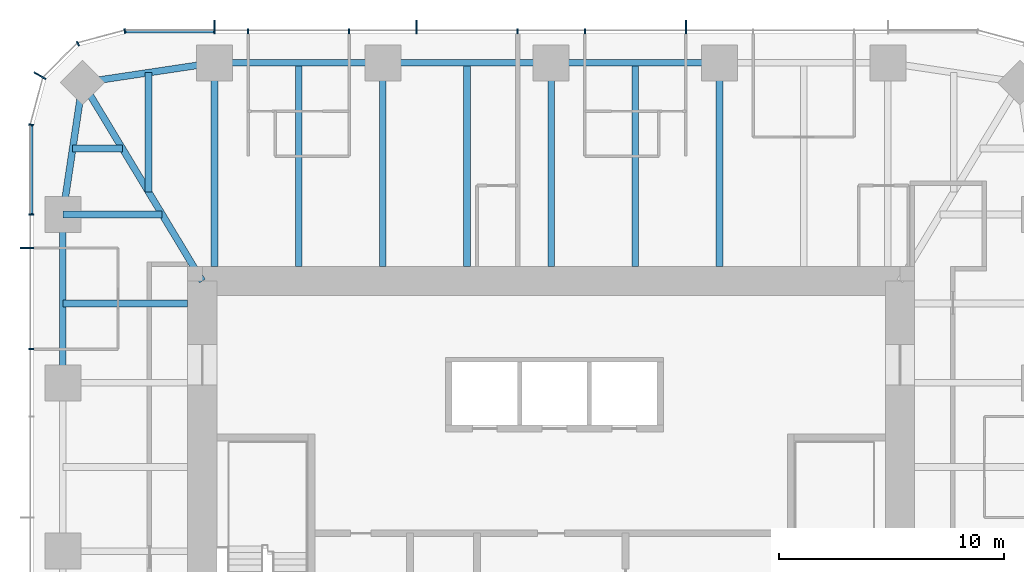
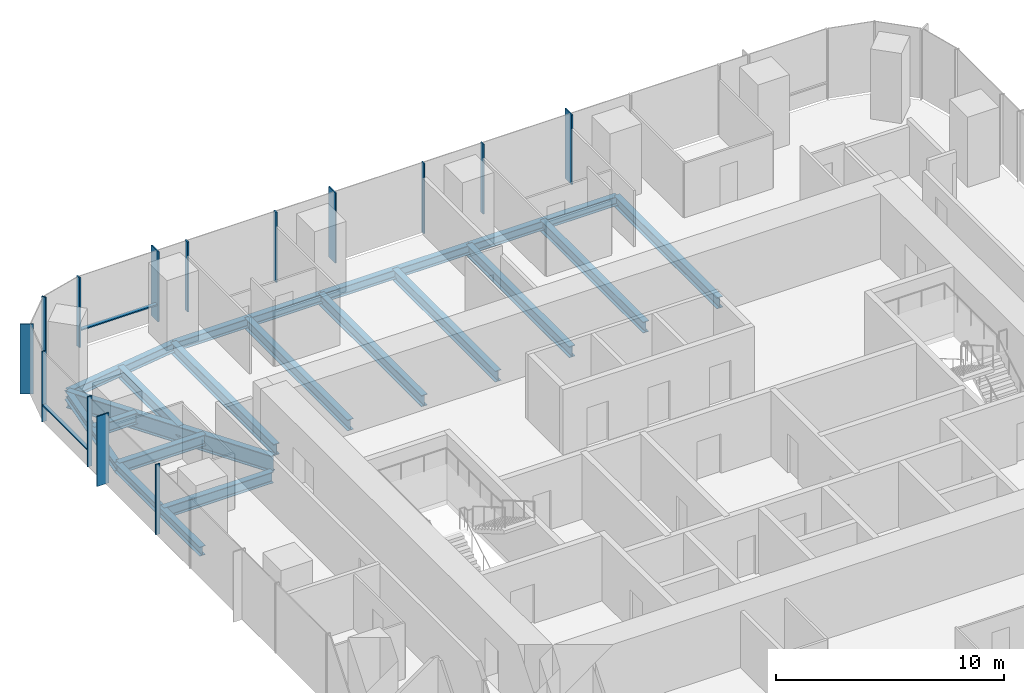
# One storey, part 5 of 12: 18 beams, 16 members, 3 elements without a shape of their own.
"""IFC4 building model written with IfcOpenShell, lengths in metres."""

from ifc_helpers import new_model, si_unit, direction, frame, origin, origin_2d, place, context, subcontext, project, spatial, rectangle, i_section, extrude, material, material_profile, profile_set, type_object, element, aggregate, save


model = new_model("IFC4")

# Units and contexts
model_context = context("Model", 3, precision=1e-05, world=origin(), true_north=direction((0.0, 1.0)))
body_context = subcontext(model_context, "Body", "Model", "MODEL_VIEW")
ifc_project = project(units=[si_unit("LENGTHUNIT", "METRE"), si_unit("AREAUNIT", "SQUARE_METRE"), si_unit("VOLUMEUNIT", "CUBIC_METRE"), si_unit("PLANEANGLEUNIT", "RADIAN"), si_unit("MASSUNIT", "GRAM", prefix="KILO")], contexts=[model_context])

# Site, building, storey
site_placement = place(None, origin())
site = spatial("IfcSite", under=ifc_project, at=site_placement, CompositionType="ELEMENT")
building_placement = place(site_placement, origin())
building = spatial("IfcBuilding", under=site, at=building_placement, Name="Khuree Lantern Residences", CompositionType="ELEMENT")
storey_placement = place(building_placement, frame((0.0, 0.0, 334.5)))
storey = spatial("IfcBuildingStorey", under=building, at=storey_placement, Name="L84", CompositionType="ELEMENT", Elevation=334.5)

# Beams
ifc_material_1 = material(Name="Steel S355", Category="steel")
ifc_material_profile_1 = material_profile(ifc_material_1, i_section(OverallWidth=0.300048828125, OverallDepth=0.590087890625, WebThickness=0.012939453125, FlangeThickness=0.02490234375, FilletRadius=0.027099609375, at=origin_2d()), Name="HE 600 A")
ifc_profile_set_1 = profile_set([ifc_material_profile_1], Name="Steel S355")
beam_type_1 = type_object("IfcBeamType", Name="B-44 SECONDARY BEAM HE 600 A", PredefinedType="BEAM", material=ifc_profile_set_1)
for number, where, z_axis, x_axis, name in (
    (1, (-11.219970703125, 21.699951171875, -0.544921875), (0.0, -1.0, 0.0), (1.0, 0.0, 0.0), "Secondary beam N1"),
    (2, (-3.739990234375, 21.699951171875, -0.544921875), (0.0, -1.0, 0.0), (1.0, 0.0, 0.0), "Secondary beam N2"),
    (3, (3.739990234375, 21.699951171875, -0.544921875), (0.0, -1.0, 0.0), (1.0, 0.0, 0.0), "Secondary beam N3"),
):
    element("IfcBeam", number, at=place(storey_placement, frame(where, z_axis=z_axis, x_axis=x_axis)), inside=storey, type_object=beam_type_1, Name=name, PredefinedType="BEAM", context=body_context, shape_type="SweptSolid", body=[
        extrude(i_section(OverallWidth=0.300048828125, OverallDepth=0.590087890625, WebThickness=0.012939453125, FlangeThickness=0.02490234375, FilletRadius=0.027099609375, at=origin_2d()), origin(), (0.0, 0.0, 1.0), 9.050048828125),
    ])
beam_1_placement = place(storey_placement, frame((-21.699951171875, 11.0, -0.544921875), z_axis=(1.0, 0.0, 0.0), x_axis=(0.0, 1.0, 0.0)))
element("IfcBeam", 4, at=beam_1_placement, inside=storey, type_object=beam_type_1, Name="Secondary beam W5", PredefinedType="BEAM", context=body_context, shape_type="SweptSolid", body=[
    extrude(i_section(OverallWidth=0.300048828125, OverallDepth=0.590087890625, WebThickness=0.012939453125, FlangeThickness=0.02490234375, FilletRadius=0.027099609375, at=origin_2d()), origin(), (0.0, 0.0, 1.0), 5.550048828125),
])
beam_2_placement = place(storey_placement, frame((-21.2607421875, 17.890625, -0.544921875), z_axis=(1.0, 0.0, 0.0), x_axis=(0.0, 1.0, 0.0)))
element("IfcBeam", 5, at=beam_2_placement, inside=storey, type_object=beam_type_1, Name="Secondary beam W6", PredefinedType="BEAM", context=body_context, shape_type="SweptSolid", body=[
    extrude(i_section(OverallWidth=0.300048828125, OverallDepth=0.590087890625, WebThickness=0.012939453125, FlangeThickness=0.02490234375, FilletRadius=0.027099609375, at=origin_2d()), origin(), (0.0, 0.0, 1.0), 2.207275390625),
])
beam_3_placement = place(storey_placement, frame((-17.890625, 21.2607421875, -0.544921875), z_axis=(0.0, -1.0, 0.0), x_axis=(1.0, 0.0, 0.0)))
element("IfcBeam", 6, at=beam_3_placement, inside=storey, type_object=beam_type_1, Name="Secondary beam N6", PredefinedType="BEAM", context=body_context, shape_type="SweptSolid", body=[
    extrude(i_section(OverallWidth=0.300048828125, OverallDepth=0.590087890625, WebThickness=0.012939453125, FlangeThickness=0.02490234375, FilletRadius=0.027099609375, at=origin_2d()), origin(), (0.0, 0.0, 1.0), 5.297607421875),
])
ifc_material_profile_2 = material_profile(ifc_material_1, i_section(OverallWidth=0.300048828125, OverallDepth=0.489990234375, WebThickness=0.011962890625, FlangeThickness=0.02294921875, FilletRadius=0.027099609375, at=origin_2d()), Name="HE 500 A")
ifc_profile_set_2 = profile_set([ifc_material_profile_2], Name="Steel S355")
beam_type_2 = type_object("IfcBeamType", Name="E-44 SPANDREL BEAM HE 500 A", PredefinedType="SPANDREL", material=ifc_profile_set_2)
for number, where, z_axis, x_axis, name in (
    (7, (-14.9599609375, 21.699951171875, -0.4951171875), (1.0, 0.0, 0.0), (0.0, 1.0, 0.0), "Spandrel beam N1"),
    (8, (-7.47998046875, 21.699951171875, -0.4951171875), (1.0, 0.0, 0.0), (0.0, 1.0, 0.0), "Spandrel beam N2"),
    (9, (0.0, 21.699951171875, -0.4951171875), (1.0, 0.0, 0.0), (0.0, 1.0, 0.0), "Spandrel beam N3"),
    (10, (-21.699951171875, 7.47998046875, -0.4951171875), (0.0, 1.0, 0.0), (-1.0, 0.0, 0.0), "Spandrel beam W5"),
):
    element("IfcBeam", number, at=place(storey_placement, frame(where, z_axis=z_axis, x_axis=x_axis)), inside=storey, type_object=beam_type_2, Name=name, PredefinedType="SPANDREL", context=body_context, shape_type="SweptSolid", body=[
        extrude(i_section(OverallWidth=0.300048828125, OverallDepth=0.489990234375, WebThickness=0.011962890625, FlangeThickness=0.02294921875, FilletRadius=0.027099609375, at=origin_2d()), origin(), (0.0, 0.0, 1.0), 7.47998046875),
    ])
for number, where, z_axis, x_axis, name in (
    (11, (-21.699951171875, 14.9599609375, -0.4951171875), (0.148251822985, 0.988949643299, 0.0), (-0.988949643299, 0.148251822985, 0.0), "Spandrel beam W6"),
    (12, (-20.8212890625, 20.8212890625, -0.4951171875), (0.988949643299, 0.148251822985, 0.0), (-0.148251822985, 0.988949643299, 0.0), "Spandrel beam N6"),
):
    element("IfcBeam", number, at=place(storey_placement, frame(where, z_axis=z_axis, x_axis=x_axis)), inside=storey, type_object=beam_type_2, Name=name, PredefinedType="SPANDREL", context=body_context, shape_type="SweptSolid", body=[
        extrude(i_section(OverallWidth=0.300048828125, OverallDepth=0.489990234375, WebThickness=0.011962890625, FlangeThickness=0.02294921875, FilletRadius=0.027099609375, at=origin_2d()), origin(), (0.0, 0.0, 1.0), 5.9267578125),
    ])

# Curtain wall, members
ifc_material_2 = material(Name="Bronze anodised aluminium", Category="aluminium")
curtain_wall_type_1 = type_object("IfcCurtainWallType", Name="CW-T1 TOWER FACE CURTAIN WALL", PredefinedType="USERDEFINED", material=ifc_material_2)
curtain_wall_1_placement = place(storey_placement, origin())
curtain_wall_1 = element("IfcCurtainWall", 13, at=curtain_wall_1_placement, inside=storey, type_object=curtain_wall_type_1, Name="L84 NORTH FACE CURTAIN WALL", ObjectType="Stick-built curtain wall", PredefinedType="USERDEFINED")
ifc_material_profile_3 = material_profile(ifc_material_2, rectangle(XDim=0.06494140625, YDim=0.60009765625, at=origin_2d()), Name="F1 65X600")
ifc_profile_set_3 = profile_set([ifc_material_profile_3], Name="Bronze anodised aluminium")
member_type_1 = type_object("IfcMemberType", Name="F1 BRONZE FIN MULLION TOWER 65X600", PredefinedType="MULLION", material=ifc_profile_set_3)
member_1_placement = place(storey_placement, frame((5.98388671875, 23.300048828125, 0.0), z_axis=(0.0, 0.0, 1.0), x_axis=(-1.0, 0.0, 0.0)))
member_1 = element("IfcMember", 14, at=member_1_placement, type_object=member_type_1, Name="L84 NORTH FACE FIN MULLION 22", PredefinedType="MULLION", context=body_context, shape_type="SweptSolid", body=[
    extrude(rectangle(XDim=0.06494140625, YDim=0.60009765625, at=origin_2d()), origin(), (0.0, 0.0, 1.0), 3.75),
])
member_2_placement = place(storey_placement, frame((-5.98388671875, 23.300048828125, 0.0), z_axis=(0.0, 0.0, 1.0), x_axis=(-1.0, 0.0, 0.0)))
member_2 = element("IfcMember", 15, at=member_2_placement, type_object=member_type_1, Name="L84 NORTH FACE FIN MULLION 25", PredefinedType="MULLION", context=body_context, shape_type="SweptSolid", body=[
    extrude(rectangle(XDim=0.06494140625, YDim=0.60009765625, at=origin_2d()), origin(), (0.0, 0.0, 1.0), 3.75),
])
member_3_placement = place(storey_placement, frame((-14.9599609375, 23.300048828125, 0.0), z_axis=(0.0, 0.0, 1.0), x_axis=(-1.0, 0.0, 0.0)))
member_3 = element("IfcMember", 16, at=member_3_placement, type_object=member_type_1, Name="L84 NORTH FACE FIN MULLION 28", PredefinedType="MULLION", context=body_context, shape_type="SweptSolid", body=[
    extrude(rectangle(XDim=0.06494140625, YDim=0.60009765625, at=origin_2d()), origin(), (0.0, 0.0, 1.0), 3.75),
])

# Curtain wall, member
curtain_wall_type_2 = type_object("IfcCurtainWallType", Name="CW-T2 TOWER CORNER CURTAIN WALL", PredefinedType="USERDEFINED", material=ifc_material_2)
curtain_wall_2_placement = place(storey_placement, origin())
curtain_wall_2 = element("IfcCurtainWall", 17, at=curtain_wall_2_placement, inside=storey, type_object=curtain_wall_type_2, Name="L84 NORTH-WEST CORNER CURTAIN WALL", ObjectType="Faceted corner curtain wall", PredefinedType="USERDEFINED")
member_4_placement = place(storey_placement, frame((-22.71728515625, 21.125, 0.0), z_axis=(0.0, 0.0, 1.0), x_axis=(-0.49999994149, -0.866025437565, 0.0)))
member_4 = element("IfcMember", 18, at=member_4_placement, type_object=member_type_1, Name="L84 NORTH-WEST CORNER FIN MULLION 31", PredefinedType="MULLION", context=body_context, shape_type="SweptSolid", body=[
    extrude(rectangle(XDim=0.06494140625, YDim=0.60009765625, at=origin_2d()), origin(), (0.0, 0.0, 1.0), 3.75),
])

curtain_wall_3_placement = place(storey_placement, origin())
curtain_wall_3 = element("IfcCurtainWall", 19, at=curtain_wall_3_placement, inside=storey, type_object=curtain_wall_type_1, Name="L84 WEST FACE CURTAIN WALL", ObjectType="Stick-built curtain wall", PredefinedType="USERDEFINED")
member_5_placement = place(storey_placement, frame((-23.300048828125, 13.464111328125, 0.0), z_axis=(0.0, 0.0, 1.0), x_axis=(0.0, -1.0, 0.0)))
member_5 = element("IfcMember", 20, at=member_5_placement, type_object=member_type_1, Name="L84 WEST FACE FIN MULLION 34", PredefinedType="MULLION", context=body_context, shape_type="SweptSolid", body=[
    extrude(rectangle(XDim=0.06494140625, YDim=0.60009765625, at=origin_2d()), origin(), (0.0, 0.0, 1.0), 3.75),
])

# Beams
ifc_material_profile_4 = material_profile(ifc_material_1, i_section(OverallWidth=0.300048828125, OverallDepth=0.60009765625, WebThickness=0.015380859375, FlangeThickness=0.030029296875, FilletRadius=0.027099609375, at=origin_2d()), Name="HE 600 B")
ifc_profile_set_4 = profile_set([ifc_material_profile_4], Name="Steel S355")
beam_type_3 = type_object("IfcBeamType", Name="G-44 GIRDER HE 600 B", PredefinedType="BEAM", material=ifc_profile_set_4)
for number, where, z_axis, x_axis, name in (
    (21, (-14.9599609375, 21.699951171875, -0.550048828125), (0.0, -1.0, 0.0), (1.0, 0.0, 0.0), "Girder N1"),
    (22, (-7.47998046875, 21.699951171875, -0.550048828125), (0.0, -1.0, 0.0), (1.0, 0.0, 0.0), "Girder N2"),
    (23, (0.0, 21.699951171875, -0.550048828125), (0.0, -1.0, 0.0), (1.0, 0.0, 0.0), "Girder N3"),
    (24, (7.47998046875, 21.699951171875, -0.550048828125), (0.0, -1.0, 0.0), (1.0, 0.0, 0.0), "Girder N4"),
):
    element("IfcBeam", number, at=place(storey_placement, frame(where, z_axis=z_axis, x_axis=x_axis)), inside=storey, type_object=beam_type_3, Name=name, PredefinedType="BEAM", context=body_context, shape_type="SweptSolid", body=[
        extrude(i_section(OverallWidth=0.300048828125, OverallDepth=0.60009765625, WebThickness=0.015380859375, FlangeThickness=0.030029296875, FilletRadius=0.027099609375, at=origin_2d()), origin(), (0.0, 0.0, 1.0), 9.050048828125),
    ])
beam_4_placement = place(storey_placement, frame((-21.699951171875, 14.9599609375, -0.550048828125), z_axis=(1.0, 0.0, 0.0), x_axis=(0.0, 1.0, 0.0)))
element("IfcBeam", 25, at=beam_4_placement, inside=storey, type_object=beam_type_3, Name="Girder W5", PredefinedType="BEAM", context=body_context, shape_type="SweptSolid", body=[
    extrude(i_section(OverallWidth=0.300048828125, OverallDepth=0.60009765625, WebThickness=0.015380859375, FlangeThickness=0.030029296875, FilletRadius=0.027099609375, at=origin_2d()), origin(), (0.0, 0.0, 1.0), 4.414306640625),
])
ifc_material_profile_5 = material_profile(ifc_material_1, i_section(OverallWidth=0.300048828125, OverallDepth=0.89990234375, WebThickness=0.0185546875, FlangeThickness=0.034912109375, FilletRadius=0.030029296875, at=origin_2d()), Name="HE 900 B")
ifc_profile_set_5 = profile_set([ifc_material_profile_5], Name="Steel S355")
beam_type_4 = type_object("IfcBeamType", Name="GD-44 CORNER GIRDER HE 900 B", PredefinedType="BEAM", material=ifc_profile_set_5)
beam_5_placement = place(storey_placement, frame((-20.8212890625, 20.8212890625, -0.699951171875), z_axis=(0.516529577604, -0.856269347495, 0.0), x_axis=(0.856269347495, 0.516529577604, 0.0)))
element("IfcBeam", 26, at=beam_5_placement, inside=storey, type_object=beam_type_4, Name="Corner girder NW", PredefinedType="BEAM", context=body_context, shape_type="SweptSolid", body=[
    extrude(i_section(OverallWidth=0.300048828125, OverallDepth=0.89990234375, WebThickness=0.0185546875, FlangeThickness=0.034912109375, FilletRadius=0.030029296875, at=origin_2d()), origin(), (0.0, 0.0, 1.0), 10.302001953125),
])

# Member
ifc_material_profile_6 = material_profile(ifc_material_2, rectangle(XDim=0.06494140625, YDim=0.219970703125, at=origin_2d()), Name="M1 65X220")
ifc_profile_set_6 = profile_set([ifc_material_profile_6], Name="Bronze anodised aluminium")
member_type_2 = type_object("IfcMemberType", Name="M1 BRONZE MULLION TOWER 65X220", PredefinedType="MULLION", material=ifc_profile_set_6)
member_6_placement = place(storey_placement, frame((1.49609375, 23.110107421875, 0.0), z_axis=(0.0, 0.0, 1.0), x_axis=(-1.0, 0.0, 0.0)))
member_6 = element("IfcMember", 27, at=member_6_placement, type_object=member_type_2, Name="L84 NORTH FACE MULLION 23", PredefinedType="MULLION", context=body_context, shape_type="SweptSolid", body=[
    extrude(rectangle(XDim=0.06494140625, YDim=0.219970703125, at=origin_2d()), origin(), (0.0, 0.0, 1.0), 3.75),
])

member_7_placement = place(storey_placement, frame((-1.49609375, 23.110107421875, 0.0), z_axis=(0.0, 0.0, 1.0), x_axis=(-1.0, 0.0, 0.0)))
member_7 = element("IfcMember", 28, at=member_7_placement, type_object=member_type_2, Name="L84 NORTH FACE MULLION 24", PredefinedType="MULLION", context=body_context, shape_type="SweptSolid", body=[
    extrude(rectangle(XDim=0.06494140625, YDim=0.219970703125, at=origin_2d()), origin(), (0.0, 0.0, 1.0), 3.75),
])

member_8_placement = place(storey_placement, frame((-8.97607421875, 23.110107421875, 0.0), z_axis=(0.0, 0.0, 1.0), x_axis=(-1.0, 0.0, 0.0)))
member_8 = element("IfcMember", 29, at=member_8_placement, type_object=member_type_2, Name="L84 NORTH FACE MULLION 26", PredefinedType="MULLION", context=body_context, shape_type="SweptSolid", body=[
    extrude(rectangle(XDim=0.06494140625, YDim=0.219970703125, at=origin_2d()), origin(), (0.0, 0.0, 1.0), 3.75),
])

member_9_placement = place(storey_placement, frame((-13.464111328125, 23.110107421875, 0.0), z_axis=(0.0, 0.0, 1.0), x_axis=(-1.0, 0.0, 0.0)))
member_9 = element("IfcMember", 30, at=member_9_placement, type_object=member_type_2, Name="L84 NORTH FACE MULLION 27", PredefinedType="MULLION", context=body_context, shape_type="SweptSolid", body=[
    extrude(rectangle(XDim=0.06494140625, YDim=0.219970703125, at=origin_2d()), origin(), (0.0, 0.0, 1.0), 3.75),
])

member_10_placement = place(storey_placement, frame((-18.945068359375, 23.11181640625, 0.0), z_axis=(0.0, 0.0, 1.0), x_axis=(-0.991444870192, -0.130526125236, 0.0)))
member_10 = element("IfcMember", 31, at=member_10_placement, type_object=member_type_2, Name="L84 NORTH-WEST CORNER MULLION 29", PredefinedType="MULLION", context=body_context, shape_type="SweptSolid", body=[
    extrude(rectangle(XDim=0.06494140625, YDim=0.219970703125, at=origin_2d()), origin(), (0.0, 0.0, 1.0), 3.75),
])

member_11_placement = place(storey_placement, frame((-21.030029296875, 22.552734375, 0.0), z_axis=(0.0, 0.0, 1.0), x_axis=(-0.866025437565, -0.49999994149, 0.0)))
member_11 = element("IfcMember", 32, at=member_11_placement, type_object=member_type_2, Name="L84 NORTH-WEST CORNER MULLION 30", PredefinedType="MULLION", context=body_context, shape_type="SweptSolid", body=[
    extrude(rectangle(XDim=0.06494140625, YDim=0.219970703125, at=origin_2d()), origin(), (0.0, 0.0, 1.0), 3.75),
])

aggregate(curtain_wall_2, [member_10, member_11, member_4])

member_12_placement = place(storey_placement, frame((-23.11181640625, 18.945068359375, 0.0), z_axis=(0.0, 0.0, 1.0), x_axis=(-0.130526125236, -0.991444870192, 0.0)))
member_12 = element("IfcMember", 33, at=member_12_placement, type_object=member_type_2, Name="L84 WEST FACE MULLION 32", PredefinedType="MULLION", context=body_context, shape_type="SweptSolid", body=[
    extrude(rectangle(XDim=0.06494140625, YDim=0.219970703125, at=origin_2d()), origin(), (0.0, 0.0, 1.0), 3.75),
])

member_13_placement = place(storey_placement, frame((-23.110107421875, 14.9599609375, 0.0), z_axis=(0.0, 0.0, 1.0), x_axis=(0.0, -1.0, 0.0)))
member_13 = element("IfcMember", 34, at=member_13_placement, type_object=member_type_2, Name="L84 WEST FACE MULLION 33", PredefinedType="MULLION", context=body_context, shape_type="SweptSolid", body=[
    extrude(rectangle(XDim=0.06494140625, YDim=0.219970703125, at=origin_2d()), origin(), (0.0, 0.0, 1.0), 3.75),
])

member_14_placement = place(storey_placement, frame((-23.110107421875, 8.97607421875, 0.0), z_axis=(0.0, 0.0, 1.0), x_axis=(0.0, -1.0, 0.0)))
member_14 = element("IfcMember", 35, at=member_14_placement, type_object=member_type_2, Name="L84 WEST FACE MULLION 35", PredefinedType="MULLION", context=body_context, shape_type="SweptSolid", body=[
    extrude(rectangle(XDim=0.06494140625, YDim=0.219970703125, at=origin_2d()), origin(), (0.0, 0.0, 1.0), 3.75),
])

ifc_material_profile_7 = material_profile(ifc_material_2, rectangle(XDim=0.179931640625, YDim=0.06494140625, at=origin_2d()), Name="T1 180X65")
ifc_profile_set_7 = profile_set([ifc_material_profile_7], Name="Bronze anodised aluminium")
member_type_3 = type_object("IfcMemberType", Name="TRANSOM T1 TOWER 180X65", PredefinedType="USERDEFINED", material=ifc_profile_set_7)
member_15_placement = place(storey_placement, frame((-14.992431640625, 23.1201171875, 0.89990234375), z_axis=(-1.0, 0.0, 0.0), x_axis=(0.0, -1.0, 0.0)))
member_15 = element("IfcMember", 36, at=member_15_placement, type_object=member_type_3, Name="L84 NORTH FACE TRANSOM 28.1", ObjectType="Transom", PredefinedType="USERDEFINED", context=body_context, shape_type="SweptSolid", body=[
    extrude(rectangle(XDim=0.179931640625, YDim=0.06494140625, at=origin_2d()), origin(), (0.0, 0.0, 1.0), 3.908935546875),
])

aggregate(curtain_wall_1, [member_1, member_6, member_7, member_2, member_8, member_9, member_3, member_15])

member_16_placement = place(storey_placement, frame((-23.1201171875, 18.9013671875, 0.89990234375), z_axis=(0.0, -1.0, 0.0), x_axis=(1.0, 0.0, 0.0)))
member_16 = element("IfcMember", 37, at=member_16_placement, type_object=member_type_3, Name="L84 WEST FACE TRANSOM 32.1", ObjectType="Transom", PredefinedType="USERDEFINED", context=body_context, shape_type="SweptSolid", body=[
    extrude(rectangle(XDim=0.179931640625, YDim=0.06494140625, at=origin_2d()), origin(), (0.0, 0.0, 1.0), 3.908935546875),
])

aggregate(curtain_wall_3, [member_12, member_13, member_5, member_14, member_16])

save(model, "model.ifc")
